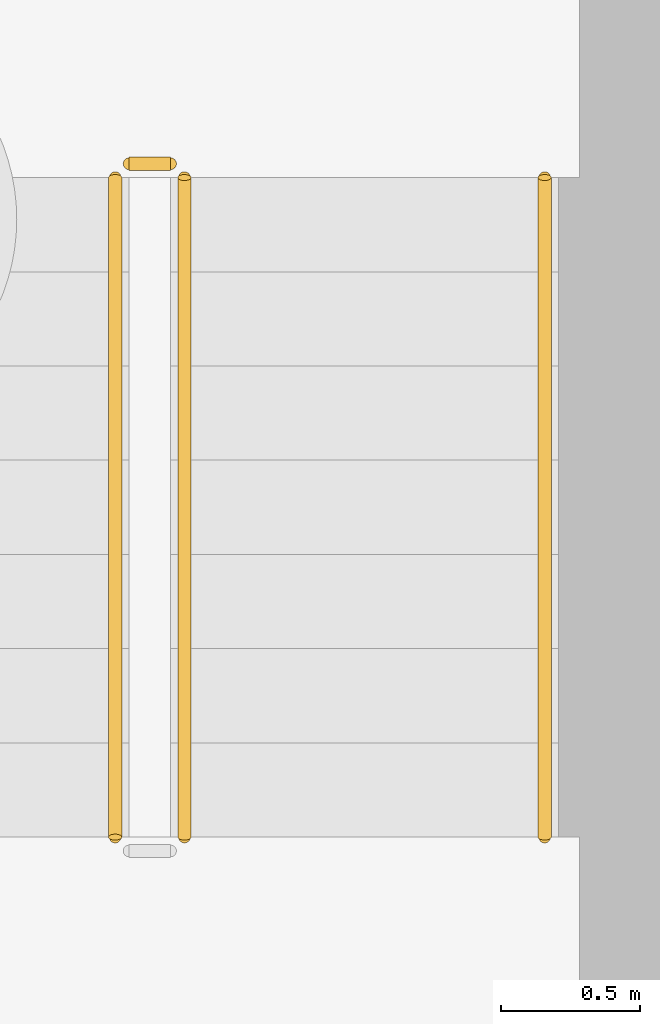
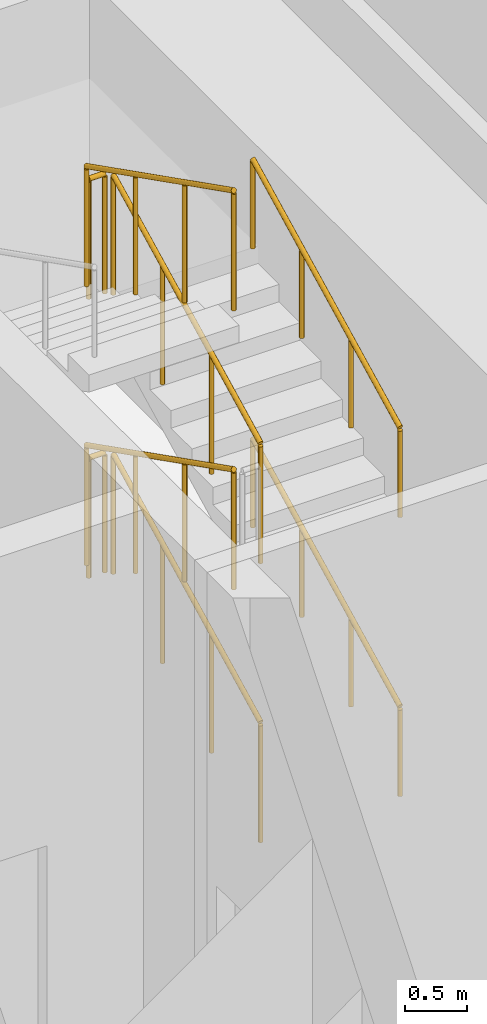
# One storey, part 12 of 12: 8 railings.
"""IFC4 building model written with IfcOpenShell, lengths in metres."""

from ifc_helpers import new_model, si_unit, direction, frame, origin, origin_2d, place, context, subcontext, project, spatial, circle, extrude, material, type_object, element, save


model = new_model("IFC4")

# Units and contexts
model_context = context("Model", 3, precision=1e-05, world=origin(), true_north=direction((0.0, 1.0)))
body_context = subcontext(model_context, "Body", "Model", "MODEL_VIEW")
ifc_project = project(units=[si_unit("LENGTHUNIT", "METRE"), si_unit("AREAUNIT", "SQUARE_METRE"), si_unit("VOLUMEUNIT", "CUBIC_METRE"), si_unit("PLANEANGLEUNIT", "RADIAN"), si_unit("MASSUNIT", "GRAM", prefix="KILO")], contexts=[model_context])

# Site, building, storey
site_placement = place(None, origin())
site = spatial("IfcSite", under=ifc_project, at=site_placement, CompositionType="ELEMENT")
building_placement = place(site_placement, origin())
building = spatial("IfcBuilding", under=site, at=building_placement, Name="Dongbaek Canopy Tower", CompositionType="ELEMENT")
storey_placement = place(building_placement, frame((0.0, 0.0, -17.0)))
storey = spatial("IfcBuildingStorey", under=building, at=storey_placement, Name="B3", CompositionType="ELEMENT", Elevation=-17.0)

# Railings
ifc_material_1 = material(Name="Stainless steel tube and balusters", Category="steel")
railing_type_1 = type_object("IfcRailingType", Name="Stair guard 1200", PredefinedType="GUARDRAIL", material=ifc_material_1)
railing_1_placement = place(storey_placement, frame((11.449951171875, 4.699951171875, 0.171875)))
element("IfcRailing", 1, at=railing_1_placement, inside=storey, type_object=railing_type_1, Name="B3 ST-A stair guard 1", PredefinedType="GUARDRAIL", context=body_context, shape_type="SweptSolid", body=[
    extrude(circle(Radius=0.02392578125, at=origin_2d()), frame((0.0, 0.0, 1.17578125), z_axis=(0.0, 0.89245957406, 0.451127375215), x_axis=(-1.0, 0.0, 0.0)), (0.0, 0.0, 1.0), 2.6669921875),
    extrude(circle(Radius=0.02099609375, at=origin_2d()), origin(), (0.0, 0.0, 1.0), 1.15185546875),
    extrude(circle(Radius=0.02099609375, at=origin_2d()), frame((0.0, 0.79345703125, 0.401123046875)), (0.0, 0.0, 1.0), 1.15185546875),
    extrude(circle(Radius=0.02099609375, at=origin_2d()), frame((0.0, 1.586669921875, 0.802001953125)), (0.0, 0.0, 1.0), 1.15185546875),
    extrude(circle(Radius=0.02099609375, at=origin_2d()), frame((0.0, 2.380126953125, 1.203125)), (0.0, 0.0, 1.0), 1.15185546875),
])
railing_2_placement = place(storey_placement, frame((11.39990234375, 7.1298828125, 1.375)))
element("IfcRailing", 2, at=railing_2_placement, inside=storey, type_object=railing_type_1, Name="B3 ST-A stair guard 2", PredefinedType="GUARDRAIL", context=body_context, shape_type="SweptSolid", body=[
    extrude(circle(Radius=0.02392578125, at=origin_2d()), frame((0.0, 0.0, 1.17578125), z_axis=(-1.0, 0.0, 0.0), x_axis=(0.0, -1.0, 0.0)), (0.0, 0.0, 1.0), 0.14990234375),
    extrude(circle(Radius=0.02099609375, at=origin_2d()), origin(), (0.0, 0.0, 1.0), 1.15185546875),
    extrude(circle(Radius=0.02099609375, at=origin_2d()), frame((-0.14990234375, 0.0, 0.0)), (0.0, 0.0, 1.0), 1.15185546875),
])
railing_3_placement = place(storey_placement, frame((11.199951171875, 7.080078125, 1.546875)))
element("IfcRailing", 3, at=railing_3_placement, inside=storey, type_object=railing_type_1, Name="B3 ST-A stair guard 3", PredefinedType="GUARDRAIL", context=body_context, shape_type="SweptSolid", body=[
    extrude(circle(Radius=0.02392578125, at=origin_2d()), frame((0.0, 0.0, 1.17578125), z_axis=(0.0, -0.89245957406, 0.451127375215), x_axis=(1.0, 0.0, 0.0)), (0.0, 0.0, 1.0), 2.6669921875),
    extrude(circle(Radius=0.02099609375, at=origin_2d()), origin(), (0.0, 0.0, 1.0), 1.15185546875),
    extrude(circle(Radius=0.02099609375, at=origin_2d()), frame((0.0, -0.79345703125, 0.401123046875)), (0.0, 0.0, 1.0), 1.15185546875),
    extrude(circle(Radius=0.02099609375, at=origin_2d()), frame((0.0, -1.586669921875, 0.802001953125)), (0.0, 0.0, 1.0), 1.15185546875),
    extrude(circle(Radius=0.02099609375, at=origin_2d()), frame((0.0, -2.380126953125, 1.203125)), (0.0, 0.0, 1.0), 1.15185546875),
])
railing_4_placement = place(storey_placement, frame((11.449951171875, 4.699951171875, 2.921875)))
element("IfcRailing", 4, at=railing_4_placement, inside=storey, type_object=railing_type_1, Name="B3 ST-A stair guard 5", PredefinedType="GUARDRAIL", context=body_context, shape_type="SweptSolid", body=[
    extrude(circle(Radius=0.02392578125, at=origin_2d()), frame((0.0, 0.0, 1.17578125), z_axis=(0.0, 0.89245957406, 0.451127375215), x_axis=(-1.0, 0.0, 0.0)), (0.0, 0.0, 1.0), 2.6669921875),
    extrude(circle(Radius=0.02099609375, at=origin_2d()), origin(), (0.0, 0.0, 1.0), 1.15185546875),
    extrude(circle(Radius=0.02099609375, at=origin_2d()), frame((0.0, 0.79345703125, 0.401123046875)), (0.0, 0.0, 1.0), 1.15185546875),
    extrude(circle(Radius=0.02099609375, at=origin_2d()), frame((0.0, 1.586669921875, 0.802001953125)), (0.0, 0.0, 1.0), 1.15185546875),
    extrude(circle(Radius=0.02099609375, at=origin_2d()), frame((0.0, 2.380126953125, 1.203125)), (0.0, 0.0, 1.0), 1.15185546875),
])
railing_5_placement = place(storey_placement, frame((11.39990234375, 7.1298828125, 4.125)))
element("IfcRailing", 5, at=railing_5_placement, inside=storey, type_object=railing_type_1, Name="B3 ST-A stair guard 6", PredefinedType="GUARDRAIL", context=body_context, shape_type="SweptSolid", body=[
    extrude(circle(Radius=0.02392578125, at=origin_2d()), frame((0.0, 0.0, 1.17578125), z_axis=(-1.0, 0.0, 0.0), x_axis=(0.0, -1.0, 0.0)), (0.0, 0.0, 1.0), 0.14990234375),
    extrude(circle(Radius=0.02099609375, at=origin_2d()), origin(), (0.0, 0.0, 1.0), 1.15185546875),
    extrude(circle(Radius=0.02099609375, at=origin_2d()), frame((-0.14990234375, 0.0, 0.0)), (0.0, 0.0, 1.0), 1.15185546875),
])
railing_6_placement = place(storey_placement, frame((11.199951171875, 7.080078125, 4.296875)))
element("IfcRailing", 6, at=railing_6_placement, inside=storey, type_object=railing_type_1, Name="B3 ST-A stair guard 7", PredefinedType="GUARDRAIL", context=body_context, shape_type="SweptSolid", body=[
    extrude(circle(Radius=0.02392578125, at=origin_2d()), frame((0.0, 0.0, 1.17578125), z_axis=(0.0, -0.89245957406, 0.451127375215), x_axis=(1.0, 0.0, 0.0)), (0.0, 0.0, 1.0), 2.6669921875),
    extrude(circle(Radius=0.02099609375, at=origin_2d()), origin(), (0.0, 0.0, 1.0), 1.15185546875),
    extrude(circle(Radius=0.02099609375, at=origin_2d()), frame((0.0, -0.79345703125, 0.401123046875)), (0.0, 0.0, 1.0), 1.15185546875),
    extrude(circle(Radius=0.02099609375, at=origin_2d()), frame((0.0, -1.586669921875, 0.802001953125)), (0.0, 0.0, 1.0), 1.15185546875),
    extrude(circle(Radius=0.02099609375, at=origin_2d()), frame((0.0, -2.380126953125, 1.203125)), (0.0, 0.0, 1.0), 1.15185546875),
])
ifc_material_2 = material(Name="Stainless steel tube", Category="steel")
railing_type_2 = type_object("IfcRailingType", Name="Stair handrail 900", PredefinedType="HANDRAIL", material=ifc_material_2)
for number, where, name in (
    (7, (12.75, 4.699951171875, 0.171875), "B3 ST-A stair handrail 1"),
    (8, (12.75, 4.699951171875, 2.921875), "B3 ST-A stair handrail 3"),
):
    element("IfcRailing", number, at=place(storey_placement, frame(where)), inside=storey, type_object=railing_type_2, Name=name, PredefinedType="HANDRAIL", context=body_context, shape_type="SweptSolid", body=[
        extrude(circle(Radius=0.02392578125, at=origin_2d()), frame((0.0, 0.0, 0.8759765625), z_axis=(0.0, 0.89245957406, 0.451127375215), x_axis=(-1.0, 0.0, 0.0)), (0.0, 0.0, 1.0), 2.6669921875),
        extrude(circle(Radius=0.02099609375, at=origin_2d()), origin(), (0.0, 0.0, 1.0), 0.851806640625),
        extrude(circle(Radius=0.02099609375, at=origin_2d()), frame((0.0, 0.79345703125, 0.401123046875)), (0.0, 0.0, 1.0), 0.851806640625),
        extrude(circle(Radius=0.02099609375, at=origin_2d()), frame((0.0, 1.586669921875, 0.802001953125)), (0.0, 0.0, 1.0), 0.851806640625),
        extrude(circle(Radius=0.02099609375, at=origin_2d()), frame((0.0, 2.380126953125, 1.203125)), (0.0, 0.0, 1.0), 0.851806640625),
    ])

save(model, "model.ifc")
